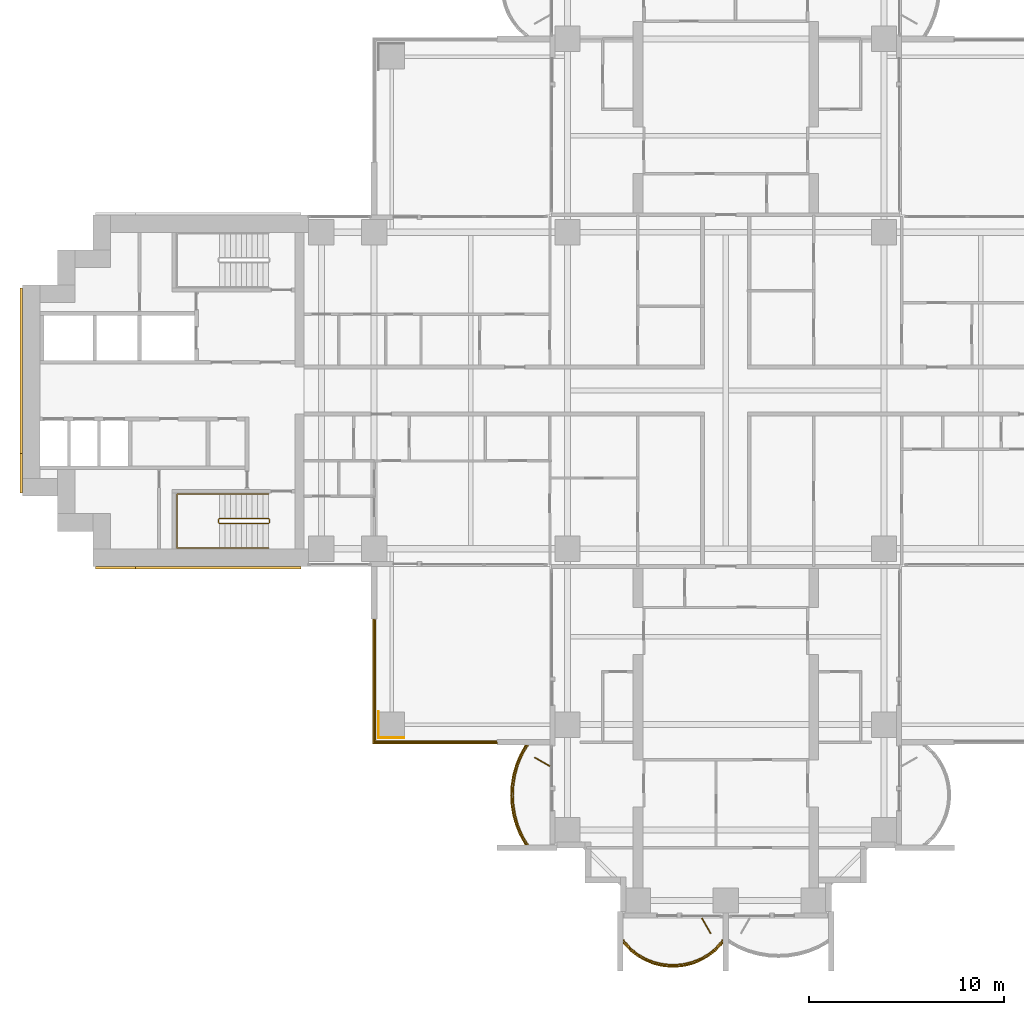
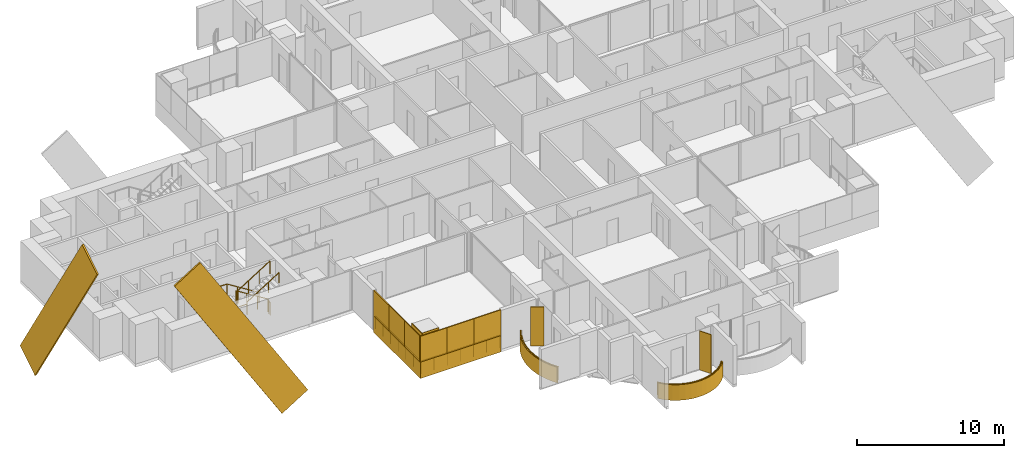
# One storey, part 19 of 23: 13 coverings, 5 railings, 2 shading devices.
"""IFC4 building model written with IfcOpenShell, lengths in metres."""

import ifcopenshell
import ifcopenshell.guid

model = None  # the IFC model being written
_history = None  # IfcOwnerHistory: only IFC2X3 demands one
_inside = {}  # id of a spatial element -> (the spatial element, [elements in it])
_under = {}  # id of a project, library or spatial element -> (it, [spatial elements below it])
_declared = {}  # id of a project -> (the project, [libraries it declares])
_typed = {}  # id of a type object -> (the type object, [elements of that type])
_made_of = {}  # id of a material, layer set ... -> (it, [elements and type objects made of it])


def new_model(schema):
    """Start an empty IFC model of exactly this schema.

    Asked for "IFC4X3", IfcOpenShell would pick the latest addendum, in which some entities
    have other attributes; the version numbers below select the first issue.
    IFC2X3 requires an IfcOwnerHistory on every rooted entity: one is made here for all.
    """
    global model, _history
    if schema == "IFC4X3":
        model = ifcopenshell.file(schema_version=(4, 3, 0, 0))
    else:
        model = ifcopenshell.file(schema=schema)
    _inside.clear()
    _under.clear()
    _declared.clear()
    _typed.clear()
    _made_of.clear()
    _history = None
    if model.schema == "IFC2X3":
        org = make("IfcOrganization", Name="unknown")
        user = make(
            "IfcPersonAndOrganization",
            ThePerson=make("IfcPerson", FamilyName="unknown"),
            TheOrganization=org,
        )
        app = make(
            "IfcApplication",
            ApplicationDeveloper=org,
            Version="unknown",
            ApplicationFullName="unknown",
            ApplicationIdentifier="unknown",
        )
        _history = make(
            "IfcOwnerHistory",
            OwningUser=user,
            OwningApplication=app,
            ChangeAction="ADDED",
            CreationDate=0,
        )
    return model


def make(cls, **values):
    """One entity of the class cls with the attributes given. An attribute that is None is left unset."""
    return model.create_entity(
        cls, **{name: value for name, value in values.items() if value is not None}
    )


def rooted(cls, **values):
    """An entity with a GlobalId (a new one), such as an element, a storey or a relation."""
    return make(cls, GlobalId=ifcopenshell.guid.new(), OwnerHistory=_history, **values)


def si_unit(unit_type, name, prefix=None):
    """IfcSIUnit, for example si_unit("LENGTHUNIT", "METRE", prefix="MILLI")."""
    return make("IfcSIUnit", UnitType=unit_type, Prefix=prefix, Name=name)


def assignment(units):
    """IfcUnitAssignment: the units of a project."""
    return None if units is None else make("IfcUnitAssignment", Units=units)


def point(xyz):
    """IfcCartesianPoint."""
    return None if xyz is None else make("IfcCartesianPoint", Coordinates=xyz)


def direction(xyz):
    """IfcDirection."""
    return None if xyz is None else make("IfcDirection", DirectionRatios=xyz)


def frame(location, z_axis=None, x_axis=None):
    """IfcAxis2Placement3D, a coordinate frame: its origin and axes. An axis left out is left unset."""
    return make(
        "IfcAxis2Placement3D",
        Location=point(location),
        Axis=direction(z_axis),
        RefDirection=direction(x_axis),
    )


def frame_2d(location, x_axis=None):
    """IfcAxis2Placement2D, a coordinate frame in the plane: its origin and x axis."""
    return make(
        "IfcAxis2Placement2D", Location=point(location), RefDirection=direction(x_axis)
    )


def origin():
    """The frame at (0, 0, 0) with its axes left unset."""
    return frame((0.0, 0.0, 0.0))


def origin_2d():
    """The frame at (0, 0) in the plane with its x axis left unset."""
    return frame_2d((0.0, 0.0))


def place(relative_to, where):
    """IfcLocalPlacement: puts the frame where relative to a parent placement (None: the world)."""
    return make(
        "IfcLocalPlacement", PlacementRelTo=relative_to, RelativePlacement=where
    )


def context(
    kind, dimensions, precision=None, world=None, true_north=None, identifier=None
):
    """IfcGeometricRepresentationContext, for example the 3D "Model" context."""
    return make(
        "IfcGeometricRepresentationContext",
        ContextIdentifier=identifier,
        ContextType=kind,
        CoordinateSpaceDimension=dimensions,
        Precision=precision,
        WorldCoordinateSystem=world,
        TrueNorth=true_north,
    )


def subcontext(parent, identifier, kind, view, scale=None):
    """IfcGeometricRepresentationSubContext, for example "Body" below "Model"."""
    return make(
        "IfcGeometricRepresentationSubContext",
        ContextIdentifier=identifier,
        ContextType=kind,
        ParentContext=parent,
        TargetScale=scale,
        TargetView=view,
    )


def project(units=None, contexts=None):
    """IfcProject with its units and contexts."""
    return rooted(
        "IfcProject",
        Name="project",
        RepresentationContexts=contexts,
        UnitsInContext=assignment(units),
    )


def spatial(cls, under=None, at=None, **own):
    """A site, building, storey or space (cls), placed at a placement, below another one or the project."""
    s = rooted(cls, ObjectPlacement=at, **own)
    if under is not None:
        _under.setdefault(under.id(), (under, []))[1].append(s)
    return s


def polyline(points):
    """IfcPolyline through the points."""
    return make("IfcPolyline", Points=[point(p) for p in points])


def profile(cls, at=None, kind="AREA", **sizes):
    """A parametric profile (cls). Its sizes go by their IFC names, for example OverallWidth=200.0."""
    return make(cls, ProfileType=kind, Position=at, **sizes)


def rectangle(**sizes):
    """IfcRectangleProfileDef."""
    return profile("IfcRectangleProfileDef", **sizes)


def outline(outer, holes=None, kind="AREA"):
    """IfcArbitraryClosedProfileDef: a profile drawn as a closed curve; with holes, ...WithVoids."""
    if holes is None:
        return make("IfcArbitraryClosedProfileDef", ProfileType=kind, OuterCurve=outer)
    return make(
        "IfcArbitraryProfileDefWithVoids",
        ProfileType=kind,
        OuterCurve=outer,
        InnerCurves=holes,
    )


def extrude(swept, where, along, depth):
    """IfcExtrudedAreaSolid: the profile swept, set in the frame where, extruded along a direction by depth."""
    return make(
        "IfcExtrudedAreaSolid",
        SweptArea=swept,
        Position=where,
        ExtrudedDirection=direction(along),
        Depth=depth,
    )


def shape(context_of_items, identifier, shape_type, items):
    """IfcShapeRepresentation: the items that make up one representation, for example the "Body"."""
    return make(
        "IfcShapeRepresentation",
        ContextOfItems=context_of_items,
        RepresentationIdentifier=identifier,
        RepresentationType=shape_type,
        Items=items,
    )


def material(Name=None, Category=None):
    """IfcMaterial."""
    return make("IfcMaterial", Name=Name, Category=Category)


def layer(
    of_material, thickness, ventilated=None, Name=None, Category=None, Priority=None
):
    """IfcMaterialLayer: one layer of a wall or slab, of a material (None: an air gap)."""
    return make(
        "IfcMaterialLayer",
        Material=of_material,
        LayerThickness=thickness,
        IsVentilated=ventilated,
        Name=Name,
        Category=Category,
        Priority=Priority,
    )


def layer_set(layers, Name=None):
    """IfcMaterialLayerSet."""
    return make("IfcMaterialLayerSet", MaterialLayers=layers, LayerSetName=Name)


def material_profile(
    of_material, cross_section, Name=None, Category=None, Priority=None
):
    """IfcMaterialProfile: a cross section and its material."""
    return make(
        "IfcMaterialProfile",
        Name=Name,
        Material=of_material,
        Profile=cross_section,
        Priority=Priority,
        Category=Category,
    )


def profile_set(profiles, Name=None, composite=None):
    """IfcMaterialProfileSet."""
    return make(
        "IfcMaterialProfileSet",
        Name=Name,
        MaterialProfiles=profiles,
        CompositeProfile=composite,
    )


def made_of(thing, what):
    """Note that an element or type object is made of a material, layer set ...; save() writes the relation."""
    if what is not None:
        _made_of.setdefault(what.id(), (what, []))[1].append(thing)
    return thing


def type_object(cls, material=None, **own):
    """A type object (cls), such as IfcWallType, which elements share."""
    return made_of(rooted(cls, **own), material)


def element(
    cls,
    number,
    at=None,
    inside=None,
    cuts=None,
    type_object=None,
    material=None,
    context=None,
    identifier="Body",
    shape_type=None,
    held_by="IfcProductDefinitionShape",
    body=None,
    shapes=None,
    **own,
):
    """One element of the class cls, such as IfcWall. Its Tag is "e" and its number.

    at: its placement. inside: the storey or other place that contains it. cuts: it is an
    opening in that element (IfcRelVoidsElement). A single representation is given by context,
    identifier, shape_type and body (its items); several are given by shapes. held_by: the class
    of the entity that holds the representations. save() writes the other relations.
    """
    e = rooted(cls, Tag="e%d" % number, ObjectPlacement=at, **own)
    if body is not None:
        shapes = [shape(context, identifier, shape_type, body)]
    if shapes is not None:
        e.Representation = make(held_by, Representations=shapes)
    if inside is not None:
        _inside.setdefault(inside.id(), (inside, []))[1].append(e)
    if cuts is not None:
        rooted(
            "IfcRelVoidsElement", RelatingBuildingElement=cuts, RelatedOpeningElement=e
        )
    if type_object is not None:
        _typed.setdefault(type_object.id(), (type_object, []))[1].append(e)
    return made_of(e, material)


def aggregate(whole, parts):
    """IfcRelAggregates: a whole, such as a stair, and the parts it consists of."""
    return rooted("IfcRelAggregates", RelatingObject=whole, RelatedObjects=parts)


def save(model, path):
    """Write the relations noted so far, then the file.

    IfcRelAggregates (storeys below a building ...), IfcRelContainedInSpatialStructure (elements
    in a storey), IfcRelDefinesByType, IfcRelAssociatesMaterial and IfcRelDeclares: one each for
    every whole, place, type object, material and project.
    """
    for whole, parts in _under.values():
        aggregate(whole, parts)
    for where, things in _inside.values():
        rooted(
            "IfcRelContainedInSpatialStructure",
            RelatedElements=things,
            RelatingStructure=where,
        )
    for kind, things in _typed.values():
        rooted("IfcRelDefinesByType", RelatedObjects=things, RelatingType=kind)
    for what, things in _made_of.values():
        rooted("IfcRelAssociatesMaterial", RelatedObjects=things, RelatingMaterial=what)
    for by, libraries in _declared.values():
        rooted("IfcRelDeclares", RelatingContext=by, RelatedDefinitions=libraries)
    model.write(path)


model = new_model("IFC4")

# Units and contexts
model_context = context("Model", 3, precision=1e-05, world=origin(), true_north=direction((0.0, 1.0)))
body_context = subcontext(model_context, "Body", "Model", "MODEL_VIEW")
ifc_project = project(units=[si_unit("LENGTHUNIT", "METRE"), si_unit("AREAUNIT", "SQUARE_METRE"), si_unit("VOLUMEUNIT", "CUBIC_METRE"), si_unit("PLANEANGLEUNIT", "RADIAN"), si_unit("MASSUNIT", "GRAM", prefix="KILO")], contexts=[model_context])

# Site, building, storey
site_placement = place(None, origin())
site = spatial("IfcSite", under=ifc_project, at=site_placement, CompositionType="ELEMENT")
building_placement = place(site_placement, origin())
building = spatial("IfcBuilding", under=site, at=building_placement, Name="Perihelion Cross Residences", CompositionType="ELEMENT")
storey_placement = place(building_placement, frame((0.0, 0.0, 61.0)))
storey = spatial("IfcBuildingStorey", under=building, at=storey_placement, Name="L12", CompositionType="ELEMENT", Elevation=61.0)

# Coverings
ifc_material_1 = material(Name="Bronze anodised aluminium", Category="aluminium")
ifc_layer_1 = layer(ifc_material_1, 0.070068359375)
ifc_layer_set_1 = layer_set([ifc_layer_1], Name="Balcony fascia 1300")
covering_type_1 = type_object("IfcCoveringType", Name="Balcony fascia 1300", PredefinedType="CLADDING", material=ifc_layer_set_1)
covering_1_placement = place(storey_placement, frame((0.0, 0.0, -0.199951171875)))
element("IfcCovering", 1, at=covering_1_placement, inside=storey, type_object=covering_type_1, Name="Fascia BF1 L12 south side west bay 2", PredefinedType="CLADDING", context=body_context, shape_type="SweptSolid", body=[
    extrude(outline(polyline([(-10.54833984375, -18.629638671875), (-10.7607421875, -19.147216796875), (-10.906494140625, -19.664794921875), (-10.991943359375, -20.182373046875), (-11.02001953125, -20.699951171875), (-10.991943359375, -21.217529296875), (-10.906494140625, -21.735107421875), (-10.7607421875, -22.2529296875), (-10.54833984375, -22.7705078125), (-10.2802734375, -23.25), (-10.199951171875, -23.25), (-10.4853515625, -22.739990234375), (-10.694580078125, -22.22998046875), (-10.838134765625, -21.719970703125), (-10.92236328125, -21.2099609375), (-10.949951171875, -20.699951171875), (-10.92236328125, -20.18994140625), (-10.838134765625, -19.679931640625), (-10.694580078125, -19.169921875), (-10.4853515625, -18.659912109375), (-10.199951171875, -18.14990234375), (-10.2802734375, -18.14990234375), (-10.54833984375, -18.629638671875)])), origin(), (0.0, 0.0, 1.0), 1.300048828125),
])
covering_2_placement = place(storey_placement, frame((0.0, 0.0, -0.199951171875)))
element("IfcCovering", 2, at=covering_2_placement, inside=storey, type_object=covering_type_1, Name="Fascia BF1 L12 south tip south bay 1", PredefinedType="CLADDING", context=body_context, shape_type="SweptSolid", body=[
    extrude(outline(polyline([(-4.90478515625, -28.674072265625), (-4.50390625, -28.982666015625), (-4.10302734375, -29.20654296875), (-3.7021484375, -29.364013671875), (-3.30126953125, -29.464599609375), (-2.900390625, -29.513916015625), (-2.49951171875, -29.513916015625), (-2.0986328125, -29.464599609375), (-1.69775390625, -29.364013671875), (-1.296875, -29.20654296875), (-0.89599609375, -28.982666015625), (-0.4951171875, -28.674072265625), (-0.14990234375, -28.302734375), (-0.14990234375, -28.199951171875), (-0.542236328125, -28.622314453125), (-0.9345703125, -28.924072265625), (-1.326904296875, -29.143310546875), (-1.71923828125, -29.29736328125), (-2.111572265625, -29.39599609375), (-2.50390625, -29.444091796875), (-2.896240234375, -29.444091796875), (-3.28857421875, -29.39599609375), (-3.6806640625, -29.29736328125), (-4.072998046875, -29.143310546875), (-4.46533203125, -28.924072265625), (-4.857666015625, -28.622314453125), (-5.25, -28.199951171875), (-5.25, -28.302734375), (-4.90478515625, -28.674072265625)])), origin(), (0.0, 0.0, 1.0), 1.300048828125),
])

# Railings
ifc_material_2 = material(Name="Bronze anodised aluminium", Category="aluminium")
railing_type_1 = type_object("IfcRailingType", Name="Balcony guard 1100", PredefinedType="GUARDRAIL", material=ifc_material_2)
railing_1_placement = place(storey_placement, frame((-10.139892578125, -18.175048828125, 0.0)))
element("IfcRailing", 3, at=railing_1_placement, inside=storey, type_object=railing_type_1, Name="Guard GU1 L12 south side west bay 2 balcony", PredefinedType="GUARDRAIL", context=body_context, shape_type="SweptSolid", body=[
    extrude(rectangle(XDim=0.048095703125, YDim=0.048095703125, at=origin_2d()), frame((0.0, 0.0, 1.076171875), z_axis=(-0.507266632806, -0.861789164031, 0.0), x_axis=(0.861789164031, -0.507266632806, 0.0)), (0.0, 0.0, 1.0), 0.562744140625),
    extrude(rectangle(XDim=0.048095703125, YDim=0.048095703125, at=origin_2d()), frame((-0.285400390625, -0.48486328125, 1.076171875), z_axis=(-0.379546636342, -0.925172605972, 0.0), x_axis=(0.925172605972, -0.379546636342, 0.0)), (0.0, 0.0, 1.0), 0.55126953125),
    extrude(rectangle(XDim=0.048095703125, YDim=0.048095703125, at=origin_2d()), frame((-0.49462890625, -0.994873046875, 1.076171875), z_axis=(-0.271372618732, -0.962474364231, 0.0), x_axis=(0.962474364231, -0.271372618732, 0.0)), (0.0, 0.0, 1.0), 0.52978515625),
    extrude(rectangle(XDim=0.048095703125, YDim=0.048095703125, at=origin_2d()), frame((-0.638427734375, -1.5048828125, 1.076171875), z_axis=(-0.162483799314, -0.986711211531, 0.0), x_axis=(0.986711211531, -0.162483799314, 0.0)), (0.0, 0.0, 1.0), 0.516845703125),
    extrude(rectangle(XDim=0.048095703125, YDim=0.048095703125, at=origin_2d()), frame((-0.722412109375, -2.014892578125, 1.076171875), z_axis=(-0.05401390175, -0.998540183677, 0.0), x_axis=(0.998540183677, -0.05401390175, 0.0)), (0.0, 0.0, 1.0), 0.5107421875),
    extrude(rectangle(XDim=0.048095703125, YDim=0.048095703125, at=origin_2d()), frame((-0.75, -2.52490234375, 1.076171875), z_axis=(0.05401390175, -0.998540183677, 0.0), x_axis=(0.998540183677, 0.05401390175, 0.0)), (0.0, 0.0, 1.0), 0.5107421875),
    extrude(rectangle(XDim=0.048095703125, YDim=0.048095703125, at=origin_2d()), frame((-0.722412109375, -3.034912109375, 1.076171875), z_axis=(0.162483799314, -0.986711211531, 0.0), x_axis=(0.986711211531, 0.162483799314, 0.0)), (0.0, 0.0, 1.0), 0.516845703125),
    extrude(rectangle(XDim=0.048095703125, YDim=0.048095703125, at=origin_2d()), frame((-0.638427734375, -3.544921875, 1.076171875), z_axis=(0.271372618732, -0.962474364231, 0.0), x_axis=(0.962474364231, 0.271372618732, 0.0)), (0.0, 0.0, 1.0), 0.52978515625),
    extrude(rectangle(XDim=0.048095703125, YDim=0.048095703125, at=origin_2d()), frame((-0.49462890625, -4.054931640625, 1.076171875), z_axis=(0.379546636342, -0.925172605972, 0.0), x_axis=(0.925172605972, 0.379546636342, 0.0)), (0.0, 0.0, 1.0), 0.55126953125),
    extrude(rectangle(XDim=0.048095703125, YDim=0.048095703125, at=origin_2d()), frame((-0.285400390625, -4.56494140625, 1.076171875), z_axis=(0.507076995033, -0.861900760591, 0.0), x_axis=(0.861900760591, 0.507076995033, 0.0)), (0.0, 0.0, 1.0), 0.562744140625),
    extrude(rectangle(XDim=0.0419921875, YDim=0.0419921875, at=origin_2d()), origin(), (0.0, 0.0, 1.0), 1.052001953125),
    extrude(rectangle(XDim=0.0419921875, YDim=0.0419921875, at=origin_2d()), frame((-0.285400390625, -0.48486328125, 0.0)), (0.0, 0.0, 1.0), 1.052001953125),
    extrude(rectangle(XDim=0.0419921875, YDim=0.0419921875, at=origin_2d()), frame((-0.49462890625, -0.994873046875, 0.0)), (0.0, 0.0, 1.0), 1.052001953125),
    extrude(rectangle(XDim=0.0419921875, YDim=0.0419921875, at=origin_2d()), frame((-0.638427734375, -1.5048828125, 0.0)), (0.0, 0.0, 1.0), 1.052001953125),
    extrude(rectangle(XDim=0.0419921875, YDim=0.0419921875, at=origin_2d()), frame((-0.722412109375, -2.014892578125, 0.0)), (0.0, 0.0, 1.0), 1.052001953125),
    extrude(rectangle(XDim=0.0419921875, YDim=0.0419921875, at=origin_2d()), frame((-0.75, -2.52490234375, 0.0)), (0.0, 0.0, 1.0), 1.052001953125),
    extrude(rectangle(XDim=0.0419921875, YDim=0.0419921875, at=origin_2d()), frame((-0.722412109375, -3.034912109375, 0.0)), (0.0, 0.0, 1.0), 1.052001953125),
    extrude(rectangle(XDim=0.0419921875, YDim=0.0419921875, at=origin_2d()), frame((-0.638427734375, -3.544921875, 0.0)), (0.0, 0.0, 1.0), 1.052001953125),
    extrude(rectangle(XDim=0.0419921875, YDim=0.0419921875, at=origin_2d()), frame((-0.49462890625, -4.054931640625, 0.0)), (0.0, 0.0, 1.0), 1.052001953125),
    extrude(rectangle(XDim=0.0419921875, YDim=0.0419921875, at=origin_2d()), frame((-0.285400390625, -4.56494140625, 0.0)), (0.0, 0.0, 1.0), 1.052001953125),
    extrude(rectangle(XDim=0.0419921875, YDim=0.0419921875, at=origin_2d()), frame((0.0, -5.050048828125, 0.0)), (0.0, 0.0, 1.0), 1.052001953125),
])
railing_2_placement = place(storey_placement, frame((-5.22509765625, -28.139892578125, 0.0)))
element("IfcRailing", 4, at=railing_2_placement, inside=storey, type_object=railing_type_1, Name="Guard GU1 L12 south tip south bay 1 balcony", PredefinedType="GUARDRAIL", context=body_context, shape_type="SweptSolid", body=[
    extrude(rectangle(XDim=0.048095703125, YDim=0.048095703125, at=origin_2d()), frame((0.0, 0.0, 1.076171875), z_axis=(0.656340655493, -0.754464673757, 0.0), x_axis=(0.754464673757, 0.656340655493, 0.0)), (0.0, 0.0, 1.0), 0.559814453125),
    extrude(rectangle(XDim=0.048095703125, YDim=0.048095703125, at=origin_2d()), frame((0.367431640625, -0.42236328125, 1.076171875), z_axis=(0.792660660899, -0.60966308455, 0.0), x_axis=(0.60966308455, 0.792660660899, 0.0)), (0.0, 0.0, 1.0), 0.494873046875),
    extrude(rectangle(XDim=0.048095703125, YDim=0.048095703125, at=origin_2d()), frame((0.759765625, -0.72412109375, 1.076171875), z_axis=(0.872950285698, -0.487809182674, 0.0), x_axis=(0.487809182674, 0.872950285698, 0.0)), (0.0, 0.0, 1.0), 0.449462890625),
    extrude(rectangle(XDim=0.048095703125, YDim=0.048095703125, at=origin_2d()), frame((1.152099609375, -0.943359375, 1.076171875), z_axis=(0.930814842219, -0.365491079925, 0.0), x_axis=(0.365491079925, 0.930814842219, 0.0)), (0.0, 0.0, 1.0), 0.42138671875),
    extrude(rectangle(XDim=0.048095703125, YDim=0.048095703125, at=origin_2d()), frame((1.54443359375, -1.097412109375, 1.076171875), z_axis=(0.969786252666, -0.243956193074, 0.0), x_axis=(0.243956193074, 0.969786252666, 0.0)), (0.0, 0.0, 1.0), 0.404296875),
    extrude(rectangle(XDim=0.048095703125, YDim=0.048095703125, at=origin_2d()), frame((1.9365234375, -1.196044921875, 1.076171875), z_axis=(0.992569651699, -0.121677797999, 0.0), x_axis=(0.121677797999, 0.992569651699, 0.0)), (0.0, 0.0, 1.0), 0.395263671875),
    extrude(rectangle(XDim=0.048095703125, YDim=0.048095703125, at=origin_2d()), frame((2.328857421875, -1.244140625, 1.076171875), z_axis=(1.0, 0.0, 0.0), x_axis=(0.0, 1.0, 0.0)), (0.0, 0.0, 1.0), 0.392333984375),
    extrude(rectangle(XDim=0.048095703125, YDim=0.048095703125, at=origin_2d()), frame((2.72119140625, -1.244140625, 1.076171875), z_axis=(0.992569651699, 0.121677797999, 0.0), x_axis=(-0.121677797999, 0.992569651699, 0.0)), (0.0, 0.0, 1.0), 0.395263671875),
    extrude(rectangle(XDim=0.048095703125, YDim=0.048095703125, at=origin_2d()), frame((3.113525390625, -1.196044921875, 1.076171875), z_axis=(0.969822159145, 0.243813411509, 0.0), x_axis=(-0.243813411509, 0.969822159145, 0.0)), (0.0, 0.0, 1.0), 0.404541015625),
    extrude(rectangle(XDim=0.048095703125, YDim=0.048095703125, at=origin_2d()), frame((3.505859375, -1.097412109375, 1.076171875), z_axis=(0.930814842219, 0.365491079925, 0.0), x_axis=(-0.365491079925, 0.930814842219, 0.0)), (0.0, 0.0, 1.0), 0.42138671875),
    extrude(rectangle(XDim=0.048095703125, YDim=0.048095703125, at=origin_2d()), frame((3.898193359375, -0.943359375, 1.076171875), z_axis=(0.872950285698, 0.487809182674, 0.0), x_axis=(-0.487809182674, 0.872950285698, 0.0)), (0.0, 0.0, 1.0), 0.449462890625),
    extrude(rectangle(XDim=0.048095703125, YDim=0.048095703125, at=origin_2d()), frame((4.29052734375, -0.72412109375, 1.076171875), z_axis=(0.792660660899, 0.60966308455, 0.0), x_axis=(-0.60966308455, 0.792660660899, 0.0)), (0.0, 0.0, 1.0), 0.494873046875),
    extrude(rectangle(XDim=0.048095703125, YDim=0.048095703125, at=origin_2d()), frame((4.682861328125, -0.42236328125, 1.076171875), z_axis=(0.656092309534, 0.754680648599, 0.0), x_axis=(-0.754680648599, 0.656092309534, 0.0)), (0.0, 0.0, 1.0), 0.5595703125),
    extrude(rectangle(XDim=0.0419921875, YDim=0.0419921875, at=origin_2d()), origin(), (0.0, 0.0, 1.0), 1.052001953125),
    extrude(rectangle(XDim=0.0419921875, YDim=0.0419921875, at=origin_2d()), frame((0.367431640625, -0.42236328125, 0.0)), (0.0, 0.0, 1.0), 1.052001953125),
    extrude(rectangle(XDim=0.0419921875, YDim=0.0419921875, at=origin_2d()), frame((0.759765625, -0.72412109375, 0.0)), (0.0, 0.0, 1.0), 1.052001953125),
    extrude(rectangle(XDim=0.0419921875, YDim=0.0419921875, at=origin_2d()), frame((1.152099609375, -0.943359375, 0.0)), (0.0, 0.0, 1.0), 1.052001953125),
    extrude(rectangle(XDim=0.0419921875, YDim=0.0419921875, at=origin_2d()), frame((1.54443359375, -1.097412109375, 0.0)), (0.0, 0.0, 1.0), 1.052001953125),
    extrude(rectangle(XDim=0.0419921875, YDim=0.0419921875, at=origin_2d()), frame((1.9365234375, -1.196044921875, 0.0)), (0.0, 0.0, 1.0), 1.052001953125),
    extrude(rectangle(XDim=0.0419921875, YDim=0.0419921875, at=origin_2d()), frame((2.328857421875, -1.244140625, 0.0)), (0.0, 0.0, 1.0), 1.052001953125),
    extrude(rectangle(XDim=0.0419921875, YDim=0.0419921875, at=origin_2d()), frame((2.72119140625, -1.244140625, 0.0)), (0.0, 0.0, 1.0), 1.052001953125),
    extrude(rectangle(XDim=0.0419921875, YDim=0.0419921875, at=origin_2d()), frame((3.113525390625, -1.196044921875, 0.0)), (0.0, 0.0, 1.0), 1.052001953125),
    extrude(rectangle(XDim=0.0419921875, YDim=0.0419921875, at=origin_2d()), frame((3.505859375, -1.097412109375, 0.0)), (0.0, 0.0, 1.0), 1.052001953125),
    extrude(rectangle(XDim=0.0419921875, YDim=0.0419921875, at=origin_2d()), frame((3.898193359375, -0.943359375, 0.0)), (0.0, 0.0, 1.0), 1.052001953125),
    extrude(rectangle(XDim=0.0419921875, YDim=0.0419921875, at=origin_2d()), frame((4.29052734375, -0.72412109375, 0.0)), (0.0, 0.0, 1.0), 1.052001953125),
    extrude(rectangle(XDim=0.0419921875, YDim=0.0419921875, at=origin_2d()), frame((4.682861328125, -0.42236328125, 0.0)), (0.0, 0.0, 1.0), 1.052001953125),
    extrude(rectangle(XDim=0.0419921875, YDim=0.0419921875, at=origin_2d()), frame((5.050048828125, 0.0, 0.0)), (0.0, 0.0, 1.0), 1.052001953125),
])
railing_3_placement = place(storey_placement, frame((-11.739990234375, -17.93994140625, 0.0)))
element("IfcRailing", 5, at=railing_3_placement, inside=storey, type_object=railing_type_1, Name="Guard GU1 L12 pocket south-west 1", PredefinedType="GUARDRAIL", context=body_context, shape_type="SweptSolid", body=[
    extrude(rectangle(XDim=0.048095703125, YDim=0.048095703125, at=origin_2d()), frame((0.0, 0.0, 1.076171875), z_axis=(-1.0, 0.0, 0.0), x_axis=(0.0, -1.0, 0.0)), (0.0, 0.0, 1.0), 6.199951171875),
    extrude(rectangle(XDim=0.048095703125, YDim=0.048095703125, at=origin_2d()), frame((-6.199951171875, 0.0, 1.076171875), z_axis=(0.0, 1.0, 0.0), x_axis=(-1.0, 0.0, 0.0)), (0.0, 0.0, 1.0), 6.199951171875),
    extrude(rectangle(XDim=0.0419921875, YDim=0.0419921875, at=origin_2d()), origin(), (0.0, 0.0, 1.0), 1.052001953125),
    extrude(rectangle(XDim=0.0419921875, YDim=0.0419921875, at=origin_2d()), frame((-1.033203125, 0.0, 0.0)), (0.0, 0.0, 1.0), 1.052001953125),
    extrude(rectangle(XDim=0.0419921875, YDim=0.0419921875, at=origin_2d()), frame((-2.066650390625, 0.0, 0.0)), (0.0, 0.0, 1.0), 1.052001953125),
    extrude(rectangle(XDim=0.0419921875, YDim=0.0419921875, at=origin_2d()), frame((-3.10009765625, 0.0, 0.0)), (0.0, 0.0, 1.0), 1.052001953125),
    extrude(rectangle(XDim=0.0419921875, YDim=0.0419921875, at=origin_2d()), frame((-4.13330078125, 0.0, 0.0)), (0.0, 0.0, 1.0), 1.052001953125),
    extrude(rectangle(XDim=0.0419921875, YDim=0.0419921875, at=origin_2d()), frame((-5.16650390625, 0.0, 0.0)), (0.0, 0.0, 1.0), 1.052001953125),
    extrude(rectangle(XDim=0.0419921875, YDim=0.0419921875, at=origin_2d()), frame((-6.199951171875, 0.0, 0.0)), (0.0, 0.0, 1.0), 1.052001953125),
    extrude(rectangle(XDim=0.0419921875, YDim=0.0419921875, at=origin_2d()), frame((-6.199951171875, 1.033203125, 0.0)), (0.0, 0.0, 1.0), 1.052001953125),
    extrude(rectangle(XDim=0.0419921875, YDim=0.0419921875, at=origin_2d()), frame((-6.199951171875, 2.066650390625, 0.0)), (0.0, 0.0, 1.0), 1.052001953125),
    extrude(rectangle(XDim=0.0419921875, YDim=0.0419921875, at=origin_2d()), frame((-6.199951171875, 3.10009765625, 0.0)), (0.0, 0.0, 1.0), 1.052001953125),
    extrude(rectangle(XDim=0.0419921875, YDim=0.0419921875, at=origin_2d()), frame((-6.199951171875, 4.13330078125, 0.0)), (0.0, 0.0, 1.0), 1.052001953125),
    extrude(rectangle(XDim=0.0419921875, YDim=0.0419921875, at=origin_2d()), frame((-6.199951171875, 5.16650390625, 0.0)), (0.0, 0.0, 1.0), 1.052001953125),
    extrude(rectangle(XDim=0.0419921875, YDim=0.0419921875, at=origin_2d()), frame((-6.199951171875, 6.199951171875, 0.0)), (0.0, 0.0, 1.0), 1.052001953125),
])

# Coverings
ifc_material_3 = material(Name="Bronze anodised aluminium", Category="aluminium")
ifc_material_profile = material_profile(ifc_material_3, rectangle(XDim=0.125, YDim=2.39990234375, at=origin_2d()), Name="Bronze cladding band 2400")
ifc_profile_set = profile_set([ifc_material_profile], Name="Bronze anodised aluminium")
covering_type_2 = type_object("IfcCoveringType", Name="Bronze cladding band 2400", PredefinedType="CLADDING", material=ifc_profile_set)
for number, where, z_axis, x_axis, name in (
    (6, (-22.767578125, -9.0625, -5.951904296875), (-0.529924750763, 0.0, 0.848044667767), (0.0, -1.0, 0.0), "Core cladding band, west core"),
    (7, (-36.0625, 4.232421875, -5.951904296875), (0.0, -0.529924750763, 0.848044667767), (1.0, 0.0, 0.0), "Core cladding band, west core"),
):
    element("IfcCovering", number, at=place(storey_placement, frame(where, z_axis=z_axis, x_axis=x_axis)), inside=storey, type_object=covering_type_2, Name=name, PredefinedType="CLADDING", context=body_context, shape_type="SweptSolid", body=[
        extrude(rectangle(XDim=0.125, YDim=2.39990234375, at=origin_2d()), origin(), (0.0, 0.0, 1.0), 15.9736328125),
    ])
ifc_material_4 = material(Name="Bronze anodised aluminium", Category="aluminium")
ifc_layer_2 = layer(ifc_material_4, 0.0400390625)
ifc_layer_set_2 = layer_set([ifc_layer_2], Name="Bronze column casing 40")
covering_type_3 = type_object("IfcCoveringType", Name="Bronze column casing 40", PredefinedType="CLADDING", material=ifc_layer_set_2)
covering_3_placement = place(storey_placement, frame((-17.77001953125, -17.10009765625, -0.25), z_axis=(0.0, 0.0, 1.0), x_axis=(1.0, 0.0, 0.0)))
element("IfcCovering", 8, at=covering_3_placement, inside=storey, type_object=covering_type_3, Name="Cladding CC1 L12 casing east-west no. 1", PredefinedType="CLADDING", context=body_context, shape_type="SweptSolid", body=[
    extrude(rectangle(XDim=0.0400390625, YDim=1.3798828125, at=origin_2d()), origin(), (0.0, 0.0, 1.0), 3.5),
])
covering_4_placement = place(storey_placement, frame((-17.10009765625, -17.77001953125, -0.25), z_axis=(0.0, 0.0, 1.0), x_axis=(1.0, 0.0, 0.0)))
element("IfcCovering", 9, at=covering_4_placement, inside=storey, type_object=covering_type_3, Name="Cladding CC1 L12 casing north-south no. 1", PredefinedType="CLADDING", context=body_context, shape_type="SweptSolid", body=[
    extrude(rectangle(XDim=1.300048828125, YDim=0.0400390625, at=origin_2d()), origin(), (0.0, 0.0, 1.0), 3.5),
])

# Shading devices
ifc_material_5 = material(Name="Bronze anodised aluminium", Category="aluminium")
ifc_layer_3 = layer(ifc_material_5, 0.050048828125)
ifc_layer_set_3 = layer_set([ifc_layer_3], Name="Bronze fin 900")
shading_device_type = type_object("IfcShadingDeviceType", Name="Bronze fin 900", PredefinedType="USERDEFINED", material=ifc_layer_set_3)
for number, where, z_axis, x_axis, name in (
    (10, (-9.3896484375, -19.0, 0.0), (0.0, 0.0, 1.0), (-0.866025403784, 0.5, 0.0), "Fin FN1 L12 south side west bay 2"),
    (11, (-1.0, -27.3896484375, 0.0), (0.0, 0.0, 1.0), (0.5, -0.866025403784, 0.0), "Fin FN1 L12 south tip south bay 1"),
):
    element("IfcShadingDevice", number, at=place(storey_placement, frame(where, z_axis=z_axis, x_axis=x_axis)), inside=storey, type_object=shading_device_type, Name=name, ObjectType="FIN", PredefinedType="USERDEFINED", context=body_context, shape_type="SweptSolid", body=[
        extrude(rectangle(XDim=0.89990234375, YDim=0.050048828125, at=origin_2d()), origin(), (0.0, 0.0, 1.0), 3.25),
    ])

# Coverings
ifc_material_6 = material(Name="Bronze anodised aluminium", Category="aluminium")
ifc_layer_4 = layer(ifc_material_6, 0.070068359375)
ifc_layer_set_4 = layer_set([ifc_layer_4], Name="Pocket fascia 1350")
covering_type_4 = type_object("IfcCoveringType", Name="Pocket fascia 1350", PredefinedType="CLADDING", material=ifc_layer_set_4)
covering_5_placement = place(storey_placement, frame((0.0, 0.0, -0.25)))
element("IfcCovering", 12, at=covering_5_placement, inside=storey, type_object=covering_type_4, Name="Fascia BF2 L12 pocket south-west 1", PredefinedType="CLADDING", context=body_context, shape_type="SweptSolid", body=[
    extrude(outline(polyline([(-18.070068359375, -11.699951171875), (-18.070068359375, -18.070068359375), (-11.699951171875, -18.070068359375), (-11.699951171875, -18.0), (-18.0, -18.0), (-18.0, -11.699951171875), (-18.070068359375, -11.699951171875)])), origin(), (0.0, 0.0, 1.0), 1.35009765625),
])
ifc_material_7 = material(Name="Bronze perforated aluminium", Category="aluminium")
ifc_layer_5 = layer(ifc_material_7, 0.070068359375)
ifc_layer_set_5 = layer_set([ifc_layer_5], Name="Pocket solar screen, bronze perforated")
covering_type_5 = type_object("IfcCoveringType", Name="Pocket solar screen, bronze perforated", PredefinedType="CLADDING", material=ifc_layer_set_5)
covering_6_placement = place(storey_placement, frame((0.0, 0.0, 1.10009765625)))
element("IfcCovering", 13, at=covering_6_placement, inside=storey, type_object=covering_type_5, Name="Solar screen PS1 L12 pocket south-west no. 1", PredefinedType="CLADDING", context=body_context, shape_type="SweptSolid", body=[
    extrude(outline(polyline([(-18.0, -18.0), (-18.0, -15.89990234375), (-18.070068359375, -15.89990234375), (-18.070068359375, -18.0), (-18.0, -18.0)])), origin(), (0.0, 0.0, 1.0), 2.14990234375),
])
covering_7_placement = place(storey_placement, frame((0.0, 0.0, 1.10009765625)))
element("IfcCovering", 14, at=covering_7_placement, inside=storey, type_object=covering_type_5, Name="Solar screen PS1 L12 pocket south-west no. 2", PredefinedType="CLADDING", context=body_context, shape_type="SweptSolid", body=[
    extrude(outline(polyline([(-18.0, -15.89990234375), (-18.0, -13.800048828125), (-18.070068359375, -13.800048828125), (-18.070068359375, -15.89990234375), (-18.0, -15.89990234375)])), origin(), (0.0, 0.0, 1.0), 2.14990234375),
])
covering_8_placement = place(storey_placement, frame((0.0, 0.0, 1.10009765625)))
element("IfcCovering", 15, at=covering_8_placement, inside=storey, type_object=covering_type_5, Name="Solar screen PS1 L12 pocket south-west no. 3", PredefinedType="CLADDING", context=body_context, shape_type="SweptSolid", body=[
    extrude(outline(polyline([(-18.0, -13.800048828125), (-18.0, -11.699951171875), (-18.070068359375, -11.699951171875), (-18.070068359375, -13.800048828125), (-18.0, -13.800048828125)])), origin(), (0.0, 0.0, 1.0), 2.14990234375),
])
covering_9_placement = place(storey_placement, frame((0.0, 0.0, 1.10009765625)))
element("IfcCovering", 16, at=covering_9_placement, inside=storey, type_object=covering_type_5, Name="Solar screen PS1 L12 pocket south-west no. 4", PredefinedType="CLADDING", context=body_context, shape_type="SweptSolid", body=[
    extrude(outline(polyline([(-15.94677734375, -18.070068359375), (-15.94677734375, -18.0), (-18.070068359375, -18.0), (-18.070068359375, -18.070068359375), (-15.94677734375, -18.070068359375)])), origin(), (0.0, 0.0, 1.0), 2.14990234375),
])
covering_10_placement = place(storey_placement, frame((0.0, 0.0, 1.10009765625)))
element("IfcCovering", 17, at=covering_10_placement, inside=storey, type_object=covering_type_5, Name="Solar screen PS1 L12 pocket south-west no. 5", PredefinedType="CLADDING", context=body_context, shape_type="SweptSolid", body=[
    extrude(outline(polyline([(-13.8232421875, -18.070068359375), (-13.8232421875, -18.0), (-15.94677734375, -18.0), (-15.94677734375, -18.070068359375), (-13.8232421875, -18.070068359375)])), origin(), (0.0, 0.0, 1.0), 2.14990234375),
])
covering_11_placement = place(storey_placement, frame((0.0, 0.0, 1.10009765625)))
element("IfcCovering", 18, at=covering_11_placement, inside=storey, type_object=covering_type_5, Name="Solar screen PS1 L12 pocket south-west no. 6", PredefinedType="CLADDING", context=body_context, shape_type="SweptSolid", body=[
    extrude(outline(polyline([(-11.699951171875, -18.070068359375), (-11.699951171875, -18.0), (-13.8232421875, -18.0), (-13.8232421875, -18.070068359375), (-11.699951171875, -18.070068359375)])), origin(), (0.0, 0.0, 1.0), 2.14990234375),
])

# Railings
ifc_material_8 = material(Name="Stainless steel", Category="steel")
railing_type_2 = type_object("IfcRailingType", Name="Stair guard 1100", PredefinedType="GUARDRAIL", material=ifc_material_8)
railing_4_placement = place(storey_placement, frame((-23.35009765625, -6.75, 0.0)))
element("IfcRailing", 19, at=railing_4_placement, inside=storey, type_object=railing_type_2, Name="L12 ST-W2 stair guard 1", PredefinedType="GUARDRAIL", context=body_context, shape_type="SweptSolid", body=[
    extrude(rectangle(XDim=0.048095703125, YDim=0.048095703125, at=origin_2d()), frame((0.0, 0.0, 1.076171875), z_axis=(0.0, 1.0, 0.0), x_axis=(-1.0, 0.0, 0.0)), (0.0, 0.0, 1.0), 0.14990234375),
    extrude(rectangle(XDim=0.048095703125, YDim=0.048095703125, at=origin_2d()), frame((0.0, 0.14990234375, 1.076171875), z_axis=(-0.263862480399, 0.265155923931, 0.927399011991), x_axis=(-0.708833529934, -0.705375805398, 0.0)), (0.0, 0.0, 1.0), 0.188720703125),
    extrude(rectangle(XDim=0.048095703125, YDim=0.048095703125, at=origin_2d()), frame((-0.0498046875, 0.199951171875, 1.2509765625), z_axis=(-0.848007534815, 0.0, 0.529984170421), x_axis=(0.0, -1.0, 0.0)), (0.0, 0.0, 1.0), 2.9716796875),
    extrude(rectangle(XDim=0.048095703125, YDim=0.048095703125, at=origin_2d()), frame((-2.56982421875, 0.199951171875, 2.826171875), z_axis=(-0.707106781187, -0.707106781187, 0.0), x_axis=(0.707106781187, -0.707106781187, 0.0)), (0.0, 0.0, 1.0), 0.07080078125),
    extrude(rectangle(XDim=0.048095703125, YDim=0.048095703125, at=origin_2d()), frame((-2.619873046875, 0.14990234375, 2.826171875), z_axis=(0.0, -1.0, 0.0), x_axis=(1.0, 0.0, 0.0)), (0.0, 0.0, 1.0), 0.14990234375),
    extrude(rectangle(XDim=0.048095703125, YDim=0.048095703125, at=origin_2d()), frame((-2.619873046875, 0.0, 2.826171875), z_axis=(0.265065253269, -0.265065253269, 0.927081885822), x_axis=(0.707106781187, 0.707106781187, 0.0)), (0.0, 0.0, 1.0), 0.188720703125),
    extrude(rectangle(XDim=0.048095703125, YDim=0.048095703125, at=origin_2d()), frame((-2.56982421875, -0.050048828125, 3.0009765625), z_axis=(0.848007534815, 0.0, 0.529984170421), x_axis=(0.0, 1.0, 0.0)), (0.0, 0.0, 1.0), 2.9716796875),
    extrude(rectangle(XDim=0.0419921875, YDim=0.0419921875, at=origin_2d()), origin(), (0.0, 0.0, 1.0), 1.052001953125),
    extrude(rectangle(XDim=0.0419921875, YDim=0.0419921875, at=origin_2d()), frame((0.0, 0.14990234375, 0.0)), (0.0, 0.0, 1.0), 1.052001953125),
    extrude(rectangle(XDim=0.0419921875, YDim=0.0419921875, at=origin_2d()), frame((-0.0498046875, 0.199951171875, 0.175048828125)), (0.0, 0.0, 1.0), 1.052001953125),
    extrude(rectangle(XDim=0.0419921875, YDim=0.0419921875, at=origin_2d()), frame((-0.889892578125, 0.199951171875, 0.699951171875)), (0.0, 0.0, 1.0), 1.052001953125),
    extrude(rectangle(XDim=0.0419921875, YDim=0.0419921875, at=origin_2d()), frame((-1.729736328125, 0.199951171875, 1.22509765625)), (0.0, 0.0, 1.0), 1.052001953125),
    extrude(rectangle(XDim=0.0419921875, YDim=0.0419921875, at=origin_2d()), frame((-2.56982421875, 0.199951171875, 1.75)), (0.0, 0.0, 1.0), 1.052001953125),
    extrude(rectangle(XDim=0.0419921875, YDim=0.0419921875, at=origin_2d()), frame((-2.619873046875, 0.14990234375, 1.75)), (0.0, 0.0, 1.0), 1.052001953125),
    extrude(rectangle(XDim=0.0419921875, YDim=0.0419921875, at=origin_2d()), frame((-2.619873046875, 0.0, 1.75)), (0.0, 0.0, 1.0), 1.052001953125),
    extrude(rectangle(XDim=0.0419921875, YDim=0.0419921875, at=origin_2d()), frame((-2.56982421875, -0.050048828125, 1.925048828125)), (0.0, 0.0, 1.0), 1.052001953125),
    extrude(rectangle(XDim=0.0419921875, YDim=0.0419921875, at=origin_2d()), frame((-1.729736328125, -0.050048828125, 2.449951171875)), (0.0, 0.0, 1.0), 1.052001953125),
    extrude(rectangle(XDim=0.0419921875, YDim=0.0419921875, at=origin_2d()), frame((-0.889892578125, -0.050048828125, 2.97509765625)), (0.0, 0.0, 1.0), 1.052001953125),
    extrude(rectangle(XDim=0.0419921875, YDim=0.0419921875, at=origin_2d()), frame((-0.0498046875, -0.050048828125, 3.5)), (0.0, 0.0, 1.0), 1.052001953125),
])
ifc_material_9 = material(Name="Stainless steel", Category="steel")
railing_type_3 = type_object("IfcRailingType", Name="Stair handrail 900", PredefinedType="HANDRAIL", material=ifc_material_9)
railing_5_placement = place(storey_placement, frame((-23.39990234375, -5.300048828125, 0.175048828125)))
element("IfcRailing", 20, at=railing_5_placement, inside=storey, type_object=railing_type_3, Name="L12 ST-W2 stair handrail 1", PredefinedType="HANDRAIL", context=body_context, shape_type="SweptSolid", body=[
    extrude(rectangle(XDim=0.048095703125, YDim=0.048095703125, at=origin_2d()), frame((0.0, 0.0, 0.8759765625), z_axis=(-0.848007534815, 0.0, 0.529984170421), x_axis=(0.0, -1.0, 0.0)), (0.0, 0.0, 1.0), 2.9716796875),
    extrude(rectangle(XDim=0.048095703125, YDim=0.048095703125, at=origin_2d()), frame((-2.52001953125, 0.0, 2.45068359375), z_axis=(-1.0, 0.0, 0.0), x_axis=(0.0, -1.0, 0.0)), (0.0, 0.0, 1.0), 2.18017578125),
    extrude(rectangle(XDim=0.048095703125, YDim=0.048095703125, at=origin_2d()), frame((-4.7001953125, 0.0, 2.45068359375), z_axis=(0.0, -1.0, 0.0), x_axis=(1.0, 0.0, 0.0)), (0.0, 0.0, 1.0), 2.75),
    extrude(rectangle(XDim=0.048095703125, YDim=0.048095703125, at=origin_2d()), frame((-4.7001953125, -2.75, 2.45068359375), z_axis=(1.0, 0.0, 0.0), x_axis=(0.0, 1.0, 0.0)), (0.0, 0.0, 1.0), 2.18017578125),
    extrude(rectangle(XDim=0.048095703125, YDim=0.048095703125, at=origin_2d()), frame((-2.52001953125, -2.75, 2.45068359375), z_axis=(0.0, 0.0, 1.0), x_axis=(1.0, 0.0, 0.0)), (0.0, 0.0, 1.0), 0.175048828125),
    extrude(rectangle(XDim=0.048095703125, YDim=0.048095703125, at=origin_2d()), frame((-2.52001953125, -2.75, 2.6259765625), z_axis=(0.848007534815, 0.0, 0.529984170421), x_axis=(0.0, 1.0, 0.0)), (0.0, 0.0, 1.0), 2.9716796875),
    extrude(rectangle(XDim=0.0419921875, YDim=0.0419921875, at=origin_2d()), origin(), (0.0, 0.0, 1.0), 0.851806640625),
    extrude(rectangle(XDim=0.0419921875, YDim=0.0419921875, at=origin_2d()), frame((-0.840087890625, 0.0, 0.52490234375)), (0.0, 0.0, 1.0), 0.851806640625),
    extrude(rectangle(XDim=0.0419921875, YDim=0.0419921875, at=origin_2d()), frame((-1.679931640625, 0.0, 1.050048828125)), (0.0, 0.0, 1.0), 0.851806640625),
    extrude(rectangle(XDim=0.0419921875, YDim=0.0419921875, at=origin_2d()), frame((-2.52001953125, 0.0, 1.574951171875)), (0.0, 0.0, 1.0), 0.851806640625),
    extrude(rectangle(XDim=0.0419921875, YDim=0.0419921875, at=origin_2d()), frame((-3.610107421875, 0.0, 1.574951171875)), (0.0, 0.0, 1.0), 0.851806640625),
    extrude(rectangle(XDim=0.0419921875, YDim=0.0419921875, at=origin_2d()), frame((-4.7001953125, 0.0, 1.574951171875)), (0.0, 0.0, 1.0), 0.851806640625),
    extrude(rectangle(XDim=0.0419921875, YDim=0.0419921875, at=origin_2d()), frame((-4.7001953125, -0.916748046875, 1.574951171875)), (0.0, 0.0, 1.0), 0.851806640625),
    extrude(rectangle(XDim=0.0419921875, YDim=0.0419921875, at=origin_2d()), frame((-4.7001953125, -1.833251953125, 1.574951171875)), (0.0, 0.0, 1.0), 0.851806640625),
    extrude(rectangle(XDim=0.0419921875, YDim=0.0419921875, at=origin_2d()), frame((-4.7001953125, -2.75, 1.574951171875)), (0.0, 0.0, 1.0), 0.851806640625),
    extrude(rectangle(XDim=0.0419921875, YDim=0.0419921875, at=origin_2d()), frame((-3.610107421875, -2.75, 1.574951171875)), (0.0, 0.0, 1.0), 0.851806640625),
    extrude(rectangle(XDim=0.0419921875, YDim=0.0419921875, at=origin_2d()), frame((-2.52001953125, -2.75, 1.574951171875)), (0.0, 0.0, 1.0), 0.851806640625),
    extrude(rectangle(XDim=0.0419921875, YDim=0.0419921875, at=origin_2d()), frame((-2.52001953125, -2.75, 1.75)), (0.0, 0.0, 1.0), 0.851806640625),
    extrude(rectangle(XDim=0.0419921875, YDim=0.0419921875, at=origin_2d()), frame((-1.679931640625, -2.75, 2.27490234375)), (0.0, 0.0, 1.0), 0.851806640625),
    extrude(rectangle(XDim=0.0419921875, YDim=0.0419921875, at=origin_2d()), frame((-0.840087890625, -2.75, 2.800048828125)), (0.0, 0.0, 1.0), 0.851806640625),
    extrude(rectangle(XDim=0.0419921875, YDim=0.0419921875, at=origin_2d()), frame((0.0, -2.75, 3.324951171875)), (0.0, 0.0, 1.0), 0.851806640625),
])

save(model, "model.ifc")
